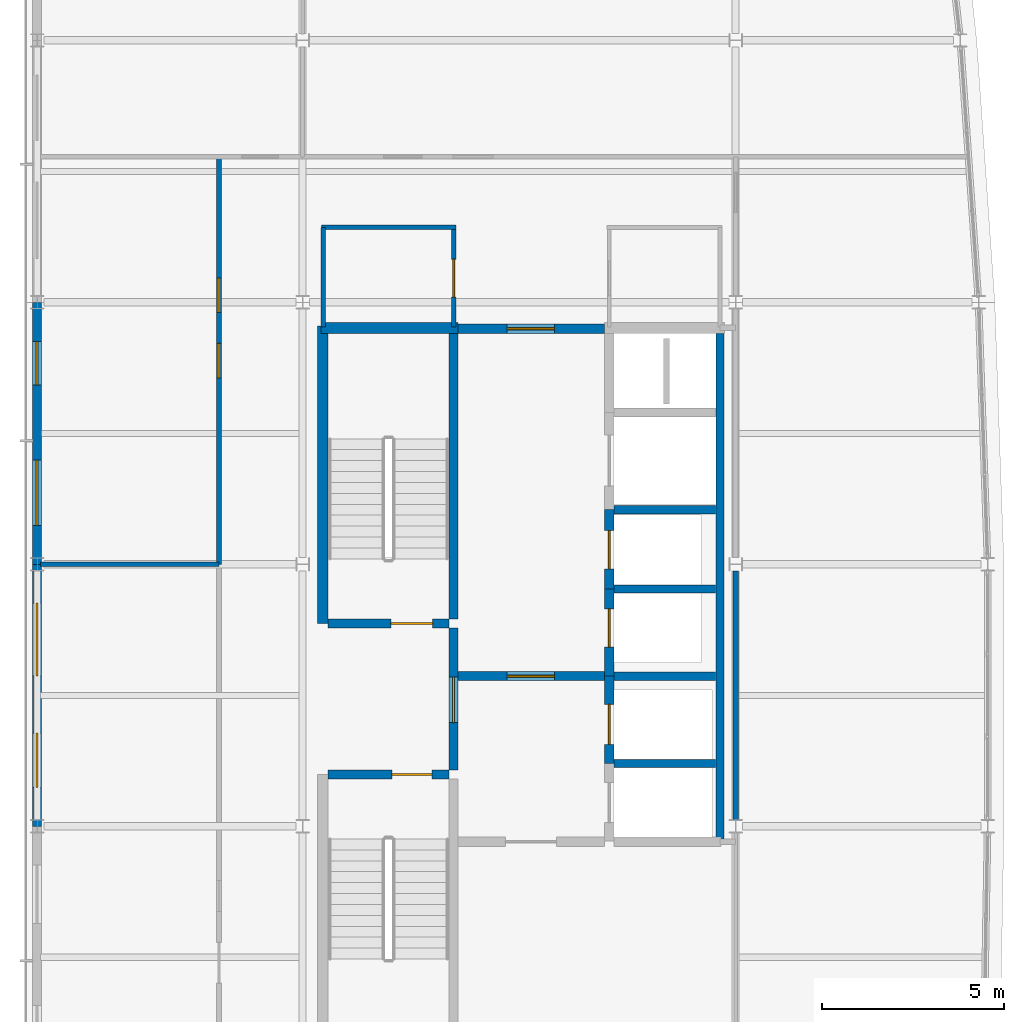
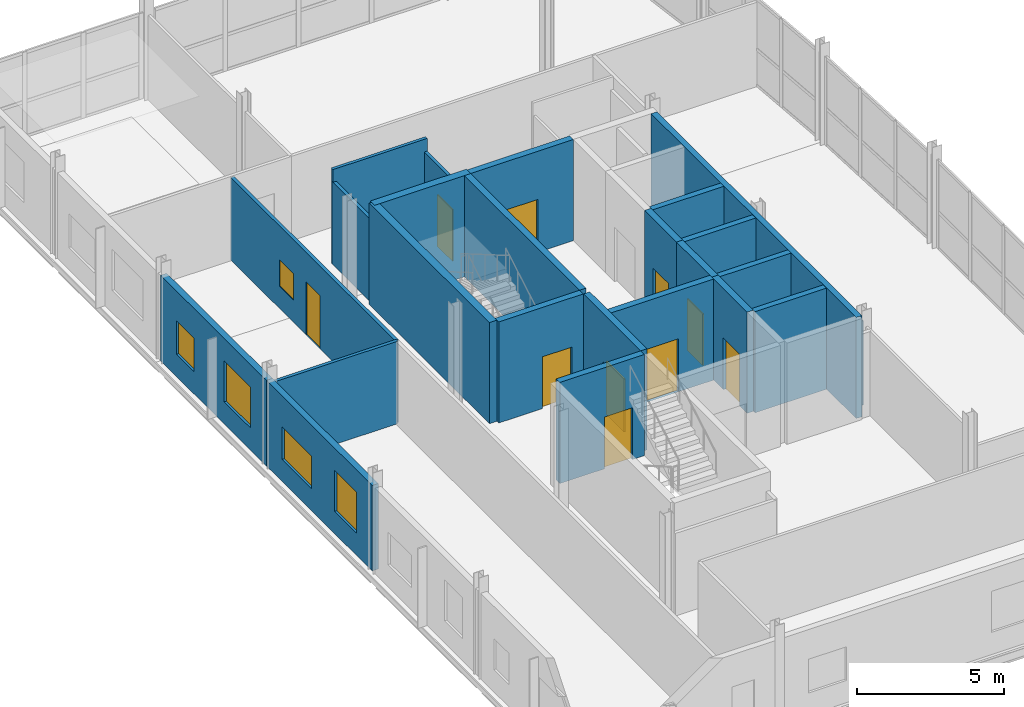
# One storey, part 12 of 16: 24 walls, 10 doors, 5 windows, 15 openings.
"""IFC4 building model written with IfcOpenShell, lengths in metres."""

from ifc_helpers import new_model, si_unit, direction, frame, frame_2d, origin, place, context, subcontext, project, spatial, rectangle, extrude, material, layer, layer_set, type_object, element, fill, save


model = new_model("IFC4")

# Units and contexts
model_context = context("Model", 3, precision=1e-05, world=origin(), true_north=direction((0.0, 1.0)))
body_context = subcontext(model_context, "Body", "Model", "MODEL_VIEW")
ifc_project = project(units=[si_unit("LENGTHUNIT", "METRE"), si_unit("AREAUNIT", "SQUARE_METRE"), si_unit("VOLUMEUNIT", "CUBIC_METRE"), si_unit("PLANEANGLEUNIT", "RADIAN"), si_unit("MASSUNIT", "GRAM", prefix="KILO")], contexts=[model_context])

# Site, building, storey
site_placement = place(None, origin())
site = spatial("IfcSite", under=ifc_project, at=site_placement, CompositionType="ELEMENT")
building_placement = place(site_placement, origin())
building = spatial("IfcBuilding", under=site, at=building_placement, Name="Quillay Park Conservatory", CompositionType="ELEMENT")
storey_placement = place(building_placement, frame((0.0, 0.0, 43.5)))
storey = spatial("IfcBuildingStorey", under=building, at=storey_placement, Name="L10", CompositionType="ELEMENT", Elevation=43.5)

# Wall, opening, door
ifc_material_1 = material(Name="Steel-Stud Acoustic Gypsum Board Partition", Category="steel")
ifc_layer_1 = layer(ifc_material_1, 0.114990234375)
ifc_layer_set_1 = layer_set([ifc_layer_1], Name="ACOUSTIC GYPSUM PARTITION 115 (Steel-Stud Acoustic Gypsum Board Partition)")
wall_type_1 = type_object("IfcWallType", Name="ACOUSTIC GYPSUM PARTITION 115", PredefinedType="PARTITIONING", material=ifc_layer_set_1)
wall_1_placement = place(storey_placement, frame((12.0, 101.60009765625, 0.0), z_axis=(0.0, 0.0, 1.0), x_axis=(0.0, -1.0, 0.0)))
wall_1 = element("IfcWall", 1, at=wall_1_placement, inside=storey, type_object=wall_type_1, Name="L10 Accessible WC Door Wall", PredefinedType="PARTITIONING", context=body_context, shape_type="SweptSolid", body=[
    extrude(rectangle(XDim=2.68017578125, YDim=0.114990234375, at=frame_2d((1.340087890625, 0.0))), origin(), (0.0, 0.0, 1.0), 3.426025390625),
])
opening_1_placement = place(wall_1_placement, frame((0.820068359375, 0.0, 0.0)))
opening_1 = element("IfcOpeningElement", 2, at=opening_1_placement, cuts=wall_1, Name="Opening D-RM10", PredefinedType="OPENING", context=body_context, shape_type="SweptSolid", body=[
    extrude(rectangle(XDim=1.0400390625, YDim=2.14990234375, at=frame_2d((0.52001953125, 1.074951171875))), frame((0.0, 0.0576171875, 0.0), z_axis=(0.0, -1.0, 0.0), x_axis=(1.0, 0.0, 0.0)), (0.0, 0.0, 1.0), 0.114990234375),
])
ifc_material_2 = material(Name="Thermally Broken Anodised Aluminium 6063-T6", Category="aluminium")
door_type_1 = type_object("IfcDoorType", Name="SINGLE SWING DOOR 1040 X2150", OperationType="NOTDEFINED", PredefinedType="DOOR", material=ifc_material_2)
door_1_placement = place(opening_1_placement, origin())
door_1 = element("IfcDoor", 3, at=door_1_placement, inside=storey, type_object=door_type_1, Name="L10 Door to L10 Accessible WC", OperationType="SINGLE_SWING_LEFT", OverallHeight=2.14990234375, OverallWidth=1.0400390625, PredefinedType="DOOR", context=body_context, shape_type="SweptSolid", body=[
    extrude(rectangle(XDim=1.0400390625, YDim=2.14990234375, at=frame_2d((0.52001953125, 1.074951171875))), frame((0.0, 0.02490234375, 0.0), z_axis=(0.0, -1.0, 0.0), x_axis=(1.0, 0.0, 0.0)), (0.0, 0.0, 1.0), 0.050048828125),
])
fill(opening_1, door_1)

# Walls
ifc_material_3 = material(Name="Steel-Stud Acoustic Gypsum Board Partition", Category="steel")
ifc_layer_2 = layer(ifc_material_3, 0.1201171875)
ifc_layer_set_2 = layer_set([ifc_layer_2], Name="ACOUSTIC GYPSUM PARTITION 120 (Steel-Stud Acoustic Gypsum Board Partition)")
wall_type_2 = type_object("IfcWallType", Name="ACOUSTIC GYPSUM PARTITION 120", PredefinedType="PARTITIONING", material=ifc_layer_set_2)
wall_2_placement = place(storey_placement, frame((8.360107421875, 101.659912109375, 0.0), z_axis=(0.0, 0.0, 1.0), x_axis=(1.0, 0.0, 0.0)))
element("IfcWall", 4, at=wall_2_placement, inside=storey, type_object=wall_type_2, Name="L10 Accessible WC North Wall", PredefinedType="PARTITIONING", context=body_context, shape_type="SweptSolid", body=[
    extrude(rectangle(XDim=3.699951171875, YDim=0.1201171875, at=frame_2d((1.85009765625, 0.0))), origin(), (0.0, 0.0, 1.0), 3.949951171875),
])
ifc_material_4 = material(Name="Steel-Stud Acoustic Gypsum Board Partition", Category="steel")
ifc_layer_3 = layer(ifc_material_4, 0.125)
ifc_layer_set_3 = layer_set([ifc_layer_3], Name="ACOUSTIC GYPSUM PARTITION 125 (Steel-Stud Acoustic Gypsum Board Partition)")
wall_type_3 = type_object("IfcWallType", Name="ACOUSTIC GYPSUM PARTITION 125", PredefinedType="PARTITIONING", material=ifc_layer_set_3)
wall_3_placement = place(storey_placement, frame((8.419921875, 98.919921875, 0.0), z_axis=(0.0, 0.0, 1.0), x_axis=(0.0, 1.0, 0.0)))
element("IfcWall", 5, at=wall_3_placement, inside=storey, type_object=wall_type_3, Name="L10 Accessible WC West Wall", PredefinedType="PARTITIONING", context=body_context, shape_type="SweptSolid", body=[
    extrude(rectangle(XDim=2.739990234375, YDim=0.125, at=frame_2d((1.3701171875, 0.0))), origin(), (0.0, 0.0, 1.0), 3.426025390625),
])
wall_4_placement = place(storey_placement, frame((0.64990234375, 92.39990234375, 0.0), z_axis=(0.0, 0.0, 1.0), x_axis=(1.0, 0.0, 0.0)))
element("IfcWall", 6, at=wall_4_placement, inside=storey, type_object=wall_type_3, Name="L10 West Divider 92", PredefinedType="PARTITIONING", context=body_context, shape_type="SweptSolid", body=[
    extrude(rectangle(XDim=4.900146484375, YDim=0.125, at=frame_2d((2.4501953125, 0.0))), origin(), (0.0, 0.0, 1.0), 3.426025390625),
])

# Wall, openings, window, door
ifc_material_5 = material(Name="Steel-Stud Acoustic Gypsum Board Partition", Category="steel")
ifc_layer_4 = layer(ifc_material_5, 0.1298828125)
ifc_layer_set_4 = layer_set([ifc_layer_4], Name="ACOUSTIC GYPSUM PARTITION 130 (Steel-Stud Acoustic Gypsum Board Partition)")
wall_type_4 = type_object("IfcWallType", Name="ACOUSTIC GYPSUM PARTITION 130", PredefinedType="PARTITIONING", material=ifc_layer_set_4)
wall_5_placement = place(storey_placement, frame((5.550048828125, 92.39990234375, 0.0), z_axis=(0.0, 0.0, 1.0), x_axis=(0.0, 1.0, 0.0)))
wall_5 = element("IfcWall", 7, at=wall_5_placement, inside=storey, type_object=wall_type_4, Name="L10 L10 Controlled-Climate Alpine Phytotron Chamber Corridor Wall", PredefinedType="PARTITIONING", context=body_context, shape_type="SweptSolid", body=[
    extrude(rectangle(XDim=11.2001953125, YDim=0.1298828125, at=frame_2d((5.60009765625, 0.0))), origin(), (0.0, 0.0, 1.0), 3.426025390625),
])
opening_2_placement = place(wall_5_placement, frame((5.125, 0.0, 0.0)))
opening_2 = element("IfcOpeningElement", 8, at=opening_2_placement, cuts=wall_5, Name="Opening D-RM13", PredefinedType="OPENING", context=body_context, shape_type="SweptSolid", body=[
    extrude(rectangle(XDim=0.949951171875, YDim=2.199951171875, at=frame_2d((0.47509765625, 1.10009765625))), frame((0.0, 0.06494140625, 0.0), z_axis=(0.0, -1.0, 0.0), x_axis=(1.0, 0.0, 0.0)), (0.0, 0.0, 1.0), 0.1298828125),
])
opening_3_placement = place(wall_5_placement, frame((6.925048828125, 0.0, 0.919921875)))
opening_3 = element("IfcOpeningElement", 9, at=opening_3_placement, cuts=wall_5, Name="Opening W-IN02", PredefinedType="OPENING", context=body_context, shape_type="SweptSolid", body=[
    extrude(rectangle(XDim=0.949951171875, YDim=1.10009765625, at=frame_2d((0.47509765625, 0.550048828125))), frame((0.0, 0.06494140625, 0.0), z_axis=(0.0, -1.0, 0.0), x_axis=(1.0, 0.0, 0.0)), (0.0, 0.0, 1.0), 0.1298828125),
])
ifc_material_6 = material(Name="Low-E Double Glazing (Laminated Tempered)", Category="glass")
window_type_1 = type_object("IfcWindowType", Name="OPERABLE VENT WINDOW 950 X1100", PartitioningType="SINGLE_PANEL", PredefinedType="WINDOW", material=ifc_material_6)
window_1_placement = place(opening_3_placement, origin())
window_1 = element("IfcWindow", 10, at=window_1_placement, inside=storey, type_object=window_type_1, Name="L10 Laboratory Vision Panel 038", OverallHeight=1.10009765625, OverallWidth=0.949951171875, PartitioningType="SINGLE_PANEL", PredefinedType="WINDOW", context=body_context, shape_type="SweptSolid", body=[
    extrude(rectangle(XDim=0.949951171875, YDim=1.10009765625, at=frame_2d((0.47509765625, 0.550048828125))), frame((0.0, 0.030029296875, 0.0), z_axis=(0.0, -1.0, 0.0), x_axis=(1.0, 0.0, 0.0)), (0.0, 0.0, 1.0), 0.06005859375),
])
fill(opening_3, window_1)
ifc_material_7 = material(Name="Thermally Broken Anodised Aluminium 6063-T6", Category="aluminium")
door_type_2 = type_object("IfcDoorType", Name="SINGLE SWING DOOR 950 X2200", OperationType="NOTDEFINED", PredefinedType="DOOR", material=ifc_material_7)
door_2_placement = place(opening_2_placement, origin())
door_2 = element("IfcDoor", 11, at=door_2_placement, inside=storey, type_object=door_type_2, Name="L10 Door to L10 Controlled-Climate Alpine Phytotron Chamber", OperationType="SINGLE_SWING_LEFT", OverallHeight=2.199951171875, OverallWidth=0.949951171875, PredefinedType="DOOR", context=body_context, shape_type="SweptSolid", body=[
    extrude(rectangle(XDim=0.949951171875, YDim=2.199951171875, at=frame_2d((0.47509765625, 1.10009765625))), frame((0.0, 0.02490234375, 0.0), z_axis=(0.0, -1.0, 0.0), x_axis=(1.0, 0.0, 0.0)), (0.0, 0.0, 1.0), 0.050048828125),
])
fill(opening_2, door_2)

# Walls
ifc_material_8 = material(Name="Steel-Stud Acoustic Gypsum Board Partition", Category="steel")
ifc_layer_5 = layer(ifc_material_8, 0.14990234375)
ifc_layer_set_5 = layer_set([ifc_layer_5], Name="ACOUSTIC GYPSUM PARTITION 150 (Steel-Stud Acoustic Gypsum Board Partition)")
wall_type_5 = type_object("IfcWallType", Name="ACOUSTIC GYPSUM PARTITION 150", PredefinedType="PARTITIONING", material=ifc_layer_set_5)
wall_6_placement = place(storey_placement, frame((19.75, 85.376953125, 0.0), z_axis=(0.0, 0.0, 1.0), x_axis=(0.0, 1.0, 0.0)))
element("IfcWall", 12, at=wall_6_placement, inside=storey, type_object=wall_type_5, Name="L10 L10 Genomics Bioassay Wet Laboratory West Wall 2", PredefinedType="PARTITIONING", context=body_context, shape_type="SweptSolid", body=[
    extrude(rectangle(XDim=6.842529296875, YDim=0.14990234375, at=frame_2d((3.42138671875, 0.0))), origin(), (0.0, 0.0, 1.0), 3.501953125),
])
ifc_material_9 = material(Name="Concrete C35/45 (NCh170 Concrete C35/45)", Category="concrete")
ifc_layer_6 = layer(ifc_material_9, 0.22509765625)
ifc_layer_set_6 = layer_set([ifc_layer_6], Name="CORE SHEAR WALL 225 (Concrete C35/45 (NCh170 Concrete C35/45))")
wall_type_6 = type_object("IfcWallType", Name="CORE SHEAR WALL 225", PredefinedType="SHEAR", material=ifc_layer_set_6)
wall_7_placement = place(storey_placement, frame((19.320068359375, 84.800048828125, 0.0), z_axis=(0.0, 0.0, 1.0), x_axis=(0.0, 1.0, 0.0)))
element("IfcWall", 13, at=wall_7_placement, inside=storey, type_object=wall_type_6, Name="L10 Core Shear Wall WL-LFBACK-L10", PredefinedType="SHEAR", context=body_context, shape_type="SweptSolid", body=[
    extrude(rectangle(XDim=13.949951171875, YDim=0.22509765625, at=frame_2d((6.97509765625, 0.0))), origin(), (0.0, 0.0, 1.0), 4.199951171875),
])
for number, where, z_axis, x_axis, name in (
    (14, (16.39990234375, 86.925048828125, 0.0), (0.0, 0.0, 1.0), (1.0, 0.0, 0.0), "L10 Core Shear Wall WL-LFDIV-L10-869"),
    (15, (16.39990234375, 89.324951171875, 0.0), (0.0, 0.0, 1.0), (1.0, 0.0, 0.0), "L10 Core Shear Wall WL-LFDIV-L10-893"),
    (16, (16.39990234375, 91.72509765625, 0.0), (0.0, 0.0, 1.0), (1.0, 0.0, 0.0), "L10 Core Shear Wall WL-LFDIV-L10-917"),
    (17, (16.39990234375, 93.89990234375, 0.0), (0.0, 0.0, 1.0), (1.0, 0.0, 0.0), "L10 Core Shear Wall WL-LFDIV-L10-939"),
):
    element("IfcWall", number, at=place(storey_placement, frame(where, z_axis=z_axis, x_axis=x_axis)), inside=storey, type_object=wall_type_6, Name=name, PredefinedType="SHEAR", context=body_context, shape_type="SweptSolid", body=[
        extrude(rectangle(XDim=2.800048828125, YDim=0.22509765625, at=frame_2d((1.39990234375, 0.0))), origin(), (0.0, 0.0, 1.0), 4.199951171875),
    ])
ifc_material_10 = material(Name="Concrete C40/50 (NCh170 Concrete C40/50)", Category="concrete")
ifc_layer_7 = layer(ifc_material_10, 0.25)
ifc_layer_set_7 = layer_set([ifc_layer_7], Name="CORE SHEAR WALL 250 (Concrete C40/50 (NCh170 Concrete C40/50))")
wall_type_7 = type_object("IfcWallType", Name="CORE SHEAR WALL 250", PredefinedType="SHEAR", material=ifc_layer_set_7)
wall_8_placement = place(storey_placement, frame((11.9951171875, 90.89990234375, 0.0), z_axis=(0.0, 0.0, 1.0), x_axis=(0.0, 1.0, 0.0)))
element("IfcWall", 18, at=wall_8_placement, inside=storey, type_object=wall_type_7, Name="L10 Core Shear Wall WL-T1E-L10", PredefinedType="SHEAR", context=body_context, shape_type="SweptSolid", body=[
    extrude(rectangle(XDim=7.85009765625, YDim=0.25, at=frame_2d((3.925048828125, 0.0))), origin(), (0.0, 0.0, 1.0), 4.199951171875),
])

# Wall, opening, door
wall_9_placement = place(storey_placement, frame((11.9951171875, 86.75, 0.0), z_axis=(0.0, 0.0, 1.0), x_axis=(0.0, 1.0, 0.0)))
wall_9 = element("IfcWall", 19, at=wall_9_placement, inside=storey, type_object=wall_type_7, Name="L10 Core Shear Wall WL-FFW-L10", PredefinedType="SHEAR", context=body_context, shape_type="SweptSolid", body=[
    extrude(rectangle(XDim=3.89990234375, YDim=0.25, at=frame_2d((1.949951171875, 0.0))), origin(), (0.0, 0.0, 1.0), 4.199951171875),
])
opening_4_placement = place(wall_9_placement, frame((1.300048828125, 0.0, 0.0)))
opening_4 = element("IfcOpeningElement", 20, at=opening_4_placement, cuts=wall_9, Name="Opening D-LB01", PredefinedType="OPENING", context=body_context, shape_type="SweptSolid", body=[
    extrude(rectangle(XDim=1.25, YDim=2.199951171875, at=frame_2d((0.625, 1.10009765625))), frame((0.0, 0.125, 0.0), z_axis=(0.0, -1.0, 0.0), x_axis=(1.0, 0.0, 0.0)), (0.0, 0.0, 1.0), 0.25),
])
ifc_material_11 = material(Name="Steel ASTM A572 Grade 50", Category="steel")
door_type_3 = type_object("IfcDoorType", Name="FIRE RATED LOBBY DOOR 1250 X2200", OperationType="NOTDEFINED", PredefinedType="DOOR", material=ifc_material_11)
door_3_placement = place(opening_4_placement, origin())
door_3 = element("IfcDoor", 21, at=door_3_placement, inside=storey, type_object=door_type_3, Name="L10 Firefighting Lobby Corridor Door", OperationType="SINGLE_SWING_LEFT", OverallHeight=2.199951171875, OverallWidth=1.25, PredefinedType="DOOR", context=body_context, shape_type="SweptSolid", body=[
    extrude(rectangle(XDim=1.25, YDim=2.199951171875, at=frame_2d((0.625, 1.10009765625))), frame((0.0, 0.02490234375, 0.0), z_axis=(0.0, -1.0, 0.0), x_axis=(1.0, 0.0, 0.0)), (0.0, 0.0, 1.0), 0.050048828125),
])
fill(opening_4, door_3)

wall_10_placement = place(storey_placement, frame((12.1201171875, 98.875, 0.0), z_axis=(0.0, 0.0, 1.0), x_axis=(1.0, 0.0, 0.0)))
wall_10 = element("IfcWall", 22, at=wall_10_placement, inside=storey, type_object=wall_type_7, Name="L10 Core Shear Wall WL-PAXN-L10", PredefinedType="SHEAR", context=body_context, shape_type="SweptSolid", body=[
    extrude(rectangle(XDim=4.02978515625, YDim=0.25, at=frame_2d((2.014892578125, 0.0))), origin(), (0.0, 0.0, 1.0), 4.199951171875),
])
opening_5_placement = place(wall_10_placement, frame((1.35009765625, 0.0, 0.0)))
opening_5 = element("IfcOpeningElement", 23, at=opening_5_placement, cuts=wall_10, Name="Opening D-LB02", PredefinedType="OPENING", context=body_context, shape_type="SweptSolid", body=[
    extrude(rectangle(XDim=1.300048828125, YDim=2.199951171875, at=frame_2d((0.64990234375, 1.10009765625))), frame((0.0, 0.125, 0.0), z_axis=(0.0, -1.0, 0.0), x_axis=(1.0, 0.0, 0.0)), (0.0, 0.0, 1.0), 0.25),
])
ifc_material_12 = material(Name="Steel ASTM A572 Grade 50", Category="steel")
door_type_4 = type_object("IfcDoorType", Name="FIRE RATED LOBBY DOOR 1300 X2200", OperationType="NOTDEFINED", PredefinedType="DOOR", material=ifc_material_12)
door_4_placement = place(opening_5_placement, origin())
door_4 = element("IfcDoor", 24, at=door_4_placement, inside=storey, type_object=door_type_4, Name="L10 North Lift Lobby Door", OperationType="SINGLE_SWING_RIGHT", OverallHeight=2.199951171875, OverallWidth=1.300048828125, PredefinedType="DOOR", context=body_context, shape_type="SweptSolid", body=[
    extrude(rectangle(XDim=1.300048828125, YDim=2.199951171875, at=frame_2d((0.64990234375, 1.10009765625))), frame((0.0, 0.02490234375, 0.0), z_axis=(0.0, -1.0, 0.0), x_axis=(1.0, 0.0, 0.0)), (0.0, 0.0, 1.0), 0.050048828125),
])
fill(opening_5, door_4)

wall_11_placement = place(storey_placement, frame((8.550048828125, 86.625, 0.0), z_axis=(0.0, 0.0, 1.0), x_axis=(1.0, 0.0, 0.0)))
wall_11 = element("IfcWall", 25, at=wall_11_placement, inside=storey, type_object=wall_type_7, Name="L10 Core Shear Wall WL-ST2D-L10", PredefinedType="SHEAR", context=body_context, shape_type="SweptSolid", body=[
    extrude(rectangle(XDim=3.320068359375, YDim=0.25, at=frame_2d((1.66015625, 0.0))), origin(), (0.0, 0.0, 1.0), 4.199951171875),
])
opening_6_placement = place(wall_11_placement, frame((1.75, 0.0, 0.0)))
opening_6 = element("IfcOpeningElement", 26, at=opening_6_placement, cuts=wall_11, Name="Opening D-ST01", PredefinedType="OPENING", context=body_context, shape_type="SweptSolid", body=[
    extrude(rectangle(XDim=1.10009765625, YDim=2.14990234375, at=frame_2d((0.550048828125, 1.074951171875))), frame((0.0, 0.125, 0.0), z_axis=(0.0, -1.0, 0.0), x_axis=(1.0, 0.0, 0.0)), (0.0, 0.0, 1.0), 0.25),
])
ifc_material_13 = material(Name="Steel ASTM A572 Grade 50", Category="steel")
door_type_5 = type_object("IfcDoorType", Name="FIRE RATED STAIR DOOR 1100 X2150", OperationType="NOTDEFINED", PredefinedType="DOOR", material=ifc_material_13)
door_5_placement = place(opening_6_placement, origin())
door_5 = element("IfcDoor", 27, at=door_5_placement, inside=storey, type_object=door_type_5, Name="L10 Protected Stair ST-T2 Door", OperationType="SINGLE_SWING_LEFT", OverallHeight=2.14990234375, OverallWidth=1.10009765625, PredefinedType="DOOR", context=body_context, shape_type="SweptSolid", body=[
    extrude(rectangle(XDim=1.10009765625, YDim=2.14990234375, at=frame_2d((0.550048828125, 1.074951171875))), frame((0.0, 0.02490234375, 0.0), z_axis=(0.0, -1.0, 0.0), x_axis=(1.0, 0.0, 0.0)), (0.0, 0.0, 1.0), 0.050048828125),
])
fill(opening_6, door_5)

wall_12_placement = place(storey_placement, frame((11.8701171875, 90.77490234375, 0.0), z_axis=(0.0, 0.0, 1.0), x_axis=(-1.0, 0.0, 0.0)))
wall_12 = element("IfcWall", 28, at=wall_12_placement, inside=storey, type_object=wall_type_7, Name="L10 Core Shear Wall WL-ST1D-L10", PredefinedType="SHEAR", context=body_context, shape_type="SweptSolid", body=[
    extrude(rectangle(XDim=3.320068359375, YDim=0.25, at=frame_2d((1.66015625, 0.0))), origin(), (0.0, 0.0, 1.0), 4.199951171875),
])
opening_7_placement = place(wall_12_placement, frame((0.449951171875, 0.0, 0.0)))
opening_7 = element("IfcOpeningElement", 29, at=opening_7_placement, cuts=wall_12, Name="Opening D-ST02", PredefinedType="OPENING", context=body_context, shape_type="SweptSolid", body=[
    extrude(rectangle(XDim=1.14990234375, YDim=2.14990234375, at=frame_2d((0.574951171875, 1.074951171875))), frame((0.0, 0.125, 0.0), z_axis=(0.0, -1.0, 0.0), x_axis=(1.0, 0.0, 0.0)), (0.0, 0.0, 1.0), 0.25),
])
ifc_material_14 = material(Name="Steel ASTM A572 Grade 50", Category="steel")
door_type_6 = type_object("IfcDoorType", Name="FIRE RATED STAIR DOOR 1150 X2150", OperationType="NOTDEFINED", PredefinedType="DOOR", material=ifc_material_14)
door_6_placement = place(opening_7_placement, origin())
door_6 = element("IfcDoor", 30, at=door_6_placement, inside=storey, type_object=door_type_6, Name="L10 Protected Stair ST-T1 Door", OperationType="SINGLE_SWING_RIGHT", OverallHeight=2.14990234375, OverallWidth=1.14990234375, PredefinedType="DOOR", context=body_context, shape_type="SweptSolid", body=[
    extrude(rectangle(XDim=1.14990234375, YDim=2.14990234375, at=frame_2d((0.574951171875, 1.074951171875))), frame((0.0, 0.02490234375, 0.0), z_axis=(0.0, -1.0, 0.0), x_axis=(1.0, 0.0, 0.0)), (0.0, 0.0, 1.0), 0.050048828125),
])
fill(opening_7, door_6)

wall_13_placement = place(storey_placement, frame((12.1201171875, 89.324951171875, 0.0), z_axis=(0.0, 0.0, 1.0), x_axis=(1.0, 0.0, 0.0)))
wall_13 = element("IfcWall", 31, at=wall_13_placement, inside=storey, type_object=wall_type_7, Name="L10 Core Shear Wall WL-FFDIV-L10", PredefinedType="SHEAR", context=body_context, shape_type="SweptSolid", body=[
    extrude(rectangle(XDim=4.02978515625, YDim=0.25, at=frame_2d((2.014892578125, 0.0))), origin(), (0.0, 0.0, 1.0), 4.199951171875),
])
opening_8_placement = place(wall_13_placement, frame((1.35009765625, 0.0, 0.0)))
opening_8 = element("IfcOpeningElement", 32, at=opening_8_placement, cuts=wall_13, Name="Opening D-LB02", PredefinedType="OPENING", context=body_context, shape_type="SweptSolid", body=[
    extrude(rectangle(XDim=1.300048828125, YDim=2.199951171875, at=frame_2d((0.64990234375, 1.10009765625))), frame((0.0, 0.125, 0.0), z_axis=(0.0, -1.0, 0.0), x_axis=(1.0, 0.0, 0.0)), (0.0, 0.0, 1.0), 0.25),
])
door_7_placement = place(opening_8_placement, origin())
door_7 = element("IfcDoor", 33, at=door_7_placement, inside=storey, type_object=door_type_4, Name="L10 Firefighting to Passenger Lobby Door", OperationType="SINGLE_SWING_LEFT", OverallHeight=2.199951171875, OverallWidth=1.300048828125, PredefinedType="DOOR", context=body_context, shape_type="SweptSolid", body=[
    extrude(rectangle(XDim=1.300048828125, YDim=2.199951171875, at=frame_2d((0.64990234375, 1.10009765625))), frame((0.0, 0.02490234375, 0.0), z_axis=(0.0, -1.0, 0.0), x_axis=(1.0, 0.0, 0.0)), (0.0, 0.0, 1.0), 0.050048828125),
])
fill(opening_8, door_7)

wall_14_placement = place(storey_placement, frame((16.27490234375, 86.925048828125, 0.0), z_axis=(0.0, 0.0, 1.0), x_axis=(0.0, 1.0, 0.0)))
wall_14 = element("IfcWall", 34, at=wall_14_placement, inside=storey, type_object=wall_type_7, Name="L10 Core Shear Wall WL-LFFR-L10-LF-FF2", PredefinedType="SHEAR", context=body_context, shape_type="SweptSolid", body=[
    extrude(rectangle(XDim=2.39990234375, YDim=0.25, at=frame_2d((1.199951171875, 0.0))), origin(), (0.0, 0.0, 1.0), 4.199951171875),
])
opening_9_placement = place(wall_14_placement, frame((0.52490234375, 0.0, 0.0)))
opening_9 = element("IfcOpeningElement", 35, at=opening_9_placement, cuts=wall_14, Name="Opening LD01", PredefinedType="OPENING", context=body_context, shape_type="SweptSolid", body=[
    extrude(rectangle(XDim=1.10009765625, YDim=2.14990234375, at=frame_2d((0.550048828125, 1.074951171875))), frame((0.0, 0.125, 0.0), z_axis=(0.0, -1.0, 0.0), x_axis=(1.0, 0.0, 0.0)), (0.0, 0.0, 1.0), 0.25),
])
ifc_material_15 = material(Name="Steel ASTM A572 Grade 50", Category="steel")
door_type_7 = type_object("IfcDoorType", Name="LIFT LANDING SLIDING DOOR 1100 X2150", OperationType="NOTDEFINED", PredefinedType="DOOR", material=ifc_material_15)
door_8_placement = place(opening_9_placement, origin())
door_8 = element("IfcDoor", 36, at=door_8_placement, inside=storey, type_object=door_type_7, Name="L10 LF-FF2 Lift Landing Door LD01", OperationType="SLIDING_TO_LEFT", OverallHeight=2.14990234375, OverallWidth=1.10009765625, PredefinedType="DOOR", context=body_context, shape_type="SweptSolid", body=[
    extrude(rectangle(XDim=1.10009765625, YDim=2.14990234375, at=frame_2d((0.550048828125, 1.074951171875))), frame((0.0, 0.02490234375, 0.0), z_axis=(0.0, -1.0, 0.0), x_axis=(1.0, 0.0, 0.0)), (0.0, 0.0, 1.0), 0.050048828125),
])
fill(opening_9, door_8)

wall_15_placement = place(storey_placement, frame((16.27490234375, 89.324951171875, 0.0), z_axis=(0.0, 0.0, 1.0), x_axis=(0.0, 1.0, 0.0)))
wall_15 = element("IfcWall", 37, at=wall_15_placement, inside=storey, type_object=wall_type_7, Name="L10 Core Shear Wall WL-LFFR-L10-LF-P1", PredefinedType="SHEAR", context=body_context, shape_type="SweptSolid", body=[
    extrude(rectangle(XDim=2.400146484375, YDim=0.25, at=frame_2d((1.2001953125, 0.0))), origin(), (0.0, 0.0, 1.0), 4.199951171875),
])
opening_10_placement = place(wall_15_placement, frame((0.800048828125, 0.0, 0.0)))
opening_10 = element("IfcOpeningElement", 38, at=opening_10_placement, cuts=wall_15, Name="Opening LD02", PredefinedType="OPENING", context=body_context, shape_type="SweptSolid", body=[
    extrude(rectangle(XDim=1.050048828125, YDim=2.14990234375, at=frame_2d((0.52490234375, 1.074951171875))), frame((0.0, 0.125, 0.0), z_axis=(0.0, -1.0, 0.0), x_axis=(1.0, 0.0, 0.0)), (0.0, 0.0, 1.0), 0.25),
])
ifc_material_16 = material(Name="Steel ASTM A572 Grade 50", Category="steel")
door_type_8 = type_object("IfcDoorType", Name="LIFT LANDING SLIDING DOOR 1050 X2150", OperationType="NOTDEFINED", PredefinedType="DOOR", material=ifc_material_16)
door_9_placement = place(opening_10_placement, origin())
door_9 = element("IfcDoor", 39, at=door_9_placement, inside=storey, type_object=door_type_8, Name="L10 LF-P1 Lift Landing Door LD02", OperationType="SLIDING_TO_LEFT", OverallHeight=2.14990234375, OverallWidth=1.050048828125, PredefinedType="DOOR", context=body_context, shape_type="SweptSolid", body=[
    extrude(rectangle(XDim=1.050048828125, YDim=2.14990234375, at=frame_2d((0.52490234375, 1.074951171875))), frame((0.0, 0.02490234375, 0.0), z_axis=(0.0, -1.0, 0.0), x_axis=(1.0, 0.0, 0.0)), (0.0, 0.0, 1.0), 0.050048828125),
])
fill(opening_10, door_9)

wall_16_placement = place(storey_placement, frame((16.27490234375, 91.72509765625, 0.0), z_axis=(0.0, 0.0, 1.0), x_axis=(0.0, 1.0, 0.0)))
wall_16 = element("IfcWall", 40, at=wall_16_placement, inside=storey, type_object=wall_type_7, Name="L10 Core Shear Wall WL-LFFR-L10-LF-P2", PredefinedType="SHEAR", context=body_context, shape_type="SweptSolid", body=[
    extrude(rectangle(XDim=2.1748046875, YDim=0.25, at=frame_2d((1.08740234375, 0.0))), origin(), (0.0, 0.0, 1.0), 4.199951171875),
])
opening_11_placement = place(wall_16_placement, frame((0.550048828125, 0.0, 0.0)))
opening_11 = element("IfcOpeningElement", 41, at=opening_11_placement, cuts=wall_16, Name="Opening LD02", PredefinedType="OPENING", context=body_context, shape_type="SweptSolid", body=[
    extrude(rectangle(XDim=1.050048828125, YDim=2.14990234375, at=frame_2d((0.52490234375, 1.074951171875))), frame((0.0, 0.125, 0.0), z_axis=(0.0, -1.0, 0.0), x_axis=(1.0, 0.0, 0.0)), (0.0, 0.0, 1.0), 0.25),
])
door_10_placement = place(opening_11_placement, origin())
door_10 = element("IfcDoor", 42, at=door_10_placement, inside=storey, type_object=door_type_8, Name="L10 LF-P2 Lift Landing Door LD02", OperationType="SLIDING_TO_LEFT", OverallHeight=2.14990234375, OverallWidth=1.050048828125, PredefinedType="DOOR", context=body_context, shape_type="SweptSolid", body=[
    extrude(rectangle(XDim=1.050048828125, YDim=2.14990234375, at=frame_2d((0.52490234375, 1.074951171875))), frame((0.0, 0.02490234375, 0.0), z_axis=(0.0, -1.0, 0.0), x_axis=(1.0, 0.0, 0.0)), (0.0, 0.0, 1.0), 0.050048828125),
])
fill(opening_11, door_10)

# Walls
ifc_material_17 = material(Name="Concrete C40/50 (NCh170 Concrete C40/50)", Category="concrete")
ifc_layer_8 = layer(ifc_material_17, 0.300048828125)
ifc_layer_set_8 = layer_set([ifc_layer_8], Name="CORE SHEAR WALL 300 (Concrete C40/50 (NCh170 Concrete C40/50))")
wall_type_8 = type_object("IfcWallType", Name="CORE SHEAR WALL 300", PredefinedType="SHEAR", material=ifc_layer_set_8)
wall_17_placement = place(storey_placement, frame((8.39990234375, 90.77490234375, 0.0), z_axis=(0.0, 0.0, 1.0), x_axis=(0.0, 1.0, 0.0)))
element("IfcWall", 43, at=wall_17_placement, inside=storey, type_object=wall_type_8, Name="L10 Core Shear Wall WL-TCW-N-L10", PredefinedType="SHEAR", context=body_context, shape_type="SweptSolid", body=[
    extrude(rectangle(XDim=8.175048828125, YDim=0.300048828125, at=frame_2d((4.08740234375, 0.0))), origin(), (0.0, 0.0, 1.0), 4.199951171875),
])
wall_18_placement = place(storey_placement, frame((8.35009765625, 98.89990234375, 0.0), z_axis=(0.0, 0.0, 1.0), x_axis=(1.0, 0.0, 0.0)))
element("IfcWall", 44, at=wall_18_placement, inside=storey, type_object=wall_type_8, Name="L10 Core Shear Wall WL-TCN-W-L10", PredefinedType="SHEAR", context=body_context, shape_type="SweptSolid", body=[
    extrude(rectangle(XDim=3.77001953125, YDim=0.300048828125, at=frame_2d((1.885009765625, 0.0))), origin(), (0.0, 0.0, 1.0), 4.199951171875),
])

# Wall, openings, windows
ifc_material_18 = material(Name="Glass-Fibre Reinforced Concrete (GRC) Cladding", Category="concrete")
ifc_layer_9 = layer(ifc_material_18, 0.239990234375)
ifc_layer_set_9 = layer_set([ifc_layer_9], Name="EXTERIOR SOLID WALL 240 (Glass-Fibre Reinforced Concrete (GRC) Cladding)")
wall_type_9 = type_object("IfcWallType", Name="EXTERIOR SOLID WALL 240", PredefinedType="SOLIDWALL", material=ifc_layer_set_9)
wall_19_placement = place(storey_placement, frame((0.550048828125, 85.199951171875, 0.0), z_axis=(0.0, 0.0, 1.0), x_axis=(0.0, 1.0, 0.0)))
wall_19 = element("IfcWall", 45, at=wall_19_placement, inside=storey, type_object=wall_type_9, Name="L10 External Wall WL-EXT-V4W-L10-2", PredefinedType="SOLIDWALL", context=body_context, shape_type="SweptSolid", body=[
    extrude(rectangle(XDim=7.199951171875, YDim=0.239990234375, at=frame_2d((3.60009765625, 0.0))), origin(), (0.0, 0.0, 1.0), 3.552001953125),
])
opening_12_placement = place(wall_19_placement, frame((1.070068359375, 0.0, 0.919921875)))
opening_12 = element("IfcOpeningElement", 46, at=opening_12_placement, cuts=wall_19, Name="Opening W-13", PredefinedType="OPENING", context=body_context, shape_type="SweptSolid", body=[
    extrude(rectangle(XDim=1.5, YDim=1.699951171875, at=frame_2d((0.75, 0.85009765625))), frame((0.0, 0.1201171875, 0.0), z_axis=(0.0, -1.0, 0.0), x_axis=(1.0, 0.0, 0.0)), (0.0, 0.0, 1.0), 0.239990234375),
])
opening_13_placement = place(wall_19_placement, frame((4.1298828125, 0.0, 0.919921875)))
opening_13 = element("IfcOpeningElement", 47, at=opening_13_placement, cuts=wall_19, Name="Opening W-20", PredefinedType="OPENING", context=body_context, shape_type="SweptSolid", body=[
    extrude(rectangle(XDim=2.0, YDim=1.35009765625, at=frame_2d((1.0, 0.675048828125))), frame((0.0, 0.1201171875, 0.0), z_axis=(0.0, -1.0, 0.0), x_axis=(1.0, 0.0, 0.0)), (0.0, 0.0, 1.0), 0.239990234375),
])
ifc_material_19 = material(Name="Low-E Double Glazing (Laminated Tempered)", Category="glass")
window_type_2 = type_object("IfcWindowType", Name="FIXED CASEMENT WINDOW 1500 X1700", PartitioningType="SINGLE_PANEL", PredefinedType="WINDOW", material=ifc_material_19)
window_2_placement = place(opening_12_placement, origin())
window_2 = element("IfcWindow", 48, at=window_2_placement, inside=storey, type_object=window_type_2, Name="L10 Exterior Window 0240", OverallHeight=1.699951171875, OverallWidth=1.5, PartitioningType="SINGLE_PANEL", PredefinedType="WINDOW", context=body_context, shape_type="SweptSolid", body=[
    extrude(rectangle(XDim=1.5, YDim=1.699951171875, at=frame_2d((0.75, 0.85009765625))), frame((0.0, 0.030029296875, 0.0), z_axis=(0.0, -1.0, 0.0), x_axis=(1.0, 0.0, 0.0)), (0.0, 0.0, 1.0), 0.06005859375),
])
fill(opening_12, window_2)
ifc_material_20 = material(Name="Low-E Double Glazing (Laminated Tempered)", Category="glass")
window_type_3 = type_object("IfcWindowType", Name="FIXED CASEMENT WINDOW 2000 X1350", PartitioningType="DOUBLE_PANEL_VERTICAL", PredefinedType="WINDOW", material=ifc_material_20)
window_3_placement = place(opening_13_placement, origin())
window_3 = element("IfcWindow", 49, at=window_3_placement, inside=storey, type_object=window_type_3, Name="L10 Exterior Window 0241", OverallHeight=1.35009765625, OverallWidth=2.0, PartitioningType="DOUBLE_PANEL_VERTICAL", PredefinedType="WINDOW", context=body_context, shape_type="SweptSolid", body=[
    extrude(rectangle(XDim=2.0, YDim=1.35009765625, at=frame_2d((1.0, 0.675048828125))), frame((0.0, 0.030029296875, 0.0), z_axis=(0.0, -1.0, 0.0), x_axis=(1.0, 0.0, 0.0)), (0.0, 0.0, 1.0), 0.06005859375),
])
fill(opening_13, window_3)

wall_20_placement = place(storey_placement, frame((0.550048828125, 92.39990234375, 0.0), z_axis=(0.0, 0.0, 1.0), x_axis=(0.0, 1.0, 0.0)))
wall_20 = element("IfcWall", 50, at=wall_20_placement, inside=storey, type_object=wall_type_9, Name="L10 External Wall WL-EXT-V4W-L10-3", PredefinedType="SOLIDWALL", context=body_context, shape_type="SweptSolid", body=[
    extrude(rectangle(XDim=7.2001953125, YDim=0.239990234375, at=frame_2d((3.60009765625, 0.0))), origin(), (0.0, 0.0, 1.0), 3.552001953125),
])
opening_14_placement = place(wall_20_placement, frame((1.070068359375, 0.0, 0.919921875)))
opening_14 = element("IfcOpeningElement", 51, at=opening_14_placement, cuts=wall_20, Name="Opening W-14", PredefinedType="OPENING", context=body_context, shape_type="SweptSolid", body=[
    extrude(rectangle(XDim=1.800048828125, YDim=1.699951171875, at=frame_2d((0.89990234375, 0.85009765625))), frame((0.0, 0.1201171875, 0.0), z_axis=(0.0, -1.0, 0.0), x_axis=(1.0, 0.0, 0.0)), (0.0, 0.0, 1.0), 0.239990234375),
])
opening_15_placement = place(wall_20_placement, frame((4.929931640625, 0.0, 0.919921875)))
opening_15 = element("IfcOpeningElement", 52, at=opening_15_placement, cuts=wall_20, Name="Opening W-01", PredefinedType="OPENING", context=body_context, shape_type="SweptSolid", body=[
    extrude(rectangle(XDim=1.199951171875, YDim=1.39990234375, at=frame_2d((0.60009765625, 0.699951171875))), frame((0.0, 0.1201171875, 0.0), z_axis=(0.0, -1.0, 0.0), x_axis=(1.0, 0.0, 0.0)), (0.0, 0.0, 1.0), 0.239990234375),
])
ifc_material_21 = material(Name="Low-E Double Glazing (Laminated Tempered)", Category="glass")
window_type_4 = type_object("IfcWindowType", Name="FIXED CASEMENT WINDOW 1200 X1400", PartitioningType="SINGLE_PANEL", PredefinedType="WINDOW", material=ifc_material_21)
window_4_placement = place(opening_15_placement, origin())
window_4 = element("IfcWindow", 53, at=window_4_placement, inside=storey, type_object=window_type_4, Name="L10 Exterior Window 0243", OverallHeight=1.39990234375, OverallWidth=1.199951171875, PartitioningType="SINGLE_PANEL", PredefinedType="WINDOW", context=body_context, shape_type="SweptSolid", body=[
    extrude(rectangle(XDim=1.199951171875, YDim=1.39990234375, at=frame_2d((0.60009765625, 0.699951171875))), frame((0.0, 0.030029296875, 0.0), z_axis=(0.0, -1.0, 0.0), x_axis=(1.0, 0.0, 0.0)), (0.0, 0.0, 1.0), 0.06005859375),
])
fill(opening_15, window_4)
ifc_material_22 = material(Name="Low-E Double Glazing (Laminated Tempered)", Category="glass")
window_type_5 = type_object("IfcWindowType", Name="FIXED CASEMENT WINDOW 1800 X1700", PartitioningType="DOUBLE_PANEL_VERTICAL", PredefinedType="WINDOW", material=ifc_material_22)
window_5_placement = place(opening_14_placement, origin())
window_5 = element("IfcWindow", 54, at=window_5_placement, inside=storey, type_object=window_type_5, Name="L10 Exterior Window 0242", OverallHeight=1.699951171875, OverallWidth=1.800048828125, PartitioningType="DOUBLE_PANEL_VERTICAL", PredefinedType="WINDOW", context=body_context, shape_type="SweptSolid", body=[
    extrude(rectangle(XDim=1.800048828125, YDim=1.699951171875, at=frame_2d((0.89990234375, 0.85009765625))), frame((0.0, 0.030029296875, 0.0), z_axis=(0.0, -1.0, 0.0), x_axis=(1.0, 0.0, 0.0)), (0.0, 0.0, 1.0), 0.06005859375),
])
fill(opening_14, window_5)

save(model, "model.ifc")
